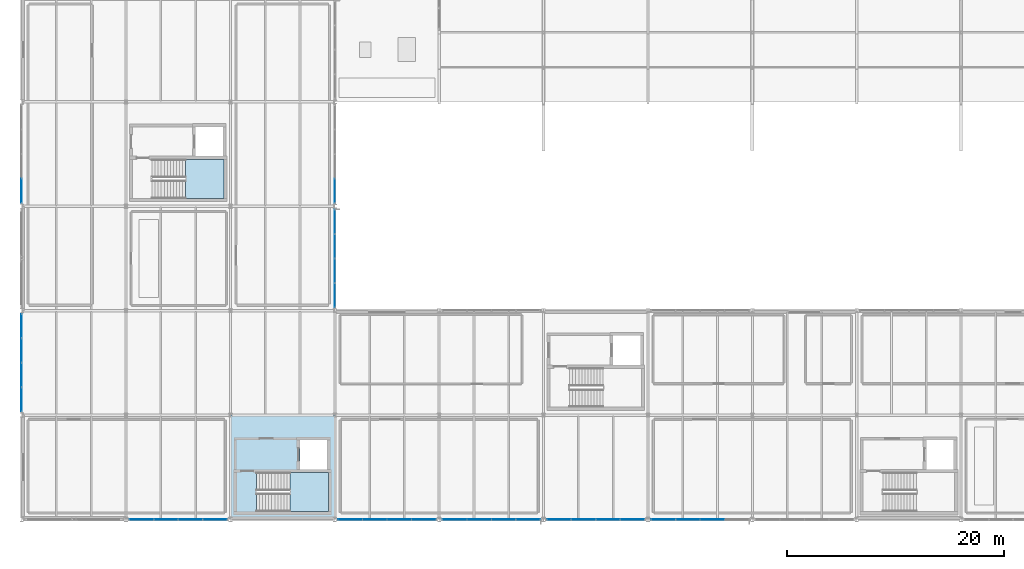
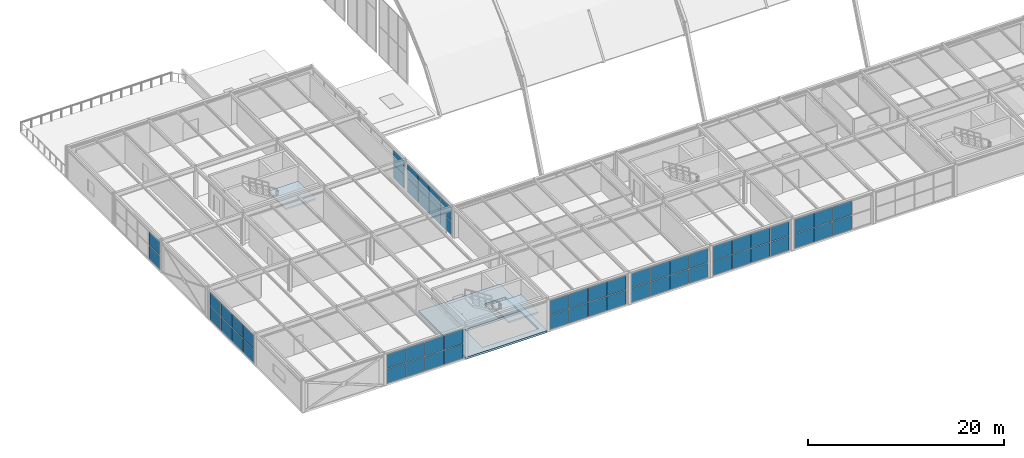
# One storey, part 104 of 126: 58 plates, 3 slabs, 11 elements without a shape of their own.
"""IFC4 building model written with IfcOpenShell, lengths in metres."""

from ifc_helpers import new_model, si_unit, direction, frame, origin, origin_2d, place, context, subcontext, project, spatial, polyline, rectangle, outline, extrude, material, layer, layer_set, type_object, element, aggregate, save


model = new_model("IFC4")

# Units and contexts
model_context = context("Model", 3, precision=1e-05, world=origin(), true_north=direction((0.0, 1.0)))
body_context = subcontext(model_context, "Body", "Model", "MODEL_VIEW")
ifc_project = project(units=[si_unit("LENGTHUNIT", "METRE"), si_unit("AREAUNIT", "SQUARE_METRE"), si_unit("VOLUMEUNIT", "CUBIC_METRE"), si_unit("PLANEANGLEUNIT", "RADIAN"), si_unit("MASSUNIT", "GRAM", prefix="KILO")], contexts=[model_context])

# Site, building, storey
site_placement = place(None, origin())
site = spatial("IfcSite", under=ifc_project, at=site_placement, CompositionType="ELEMENT")
building_placement = place(site_placement, origin())
building = spatial("IfcBuilding", under=site, at=building_placement, Name="Coralgate Yard Interchange", CompositionType="ELEMENT")
storey_placement = place(building_placement, frame((0.0, 0.0, 10.5)))
storey = spatial("IfcBuildingStorey", under=building, at=storey_placement, Name="L02", CompositionType="ELEMENT", Elevation=10.5)

# Curtain wall, plates
ifc_material_1 = material(Name="Anodised coastal aluminium and solar-control low-E glass", Category="aluminium")
curtain_wall_type = type_object("IfcCurtainWallType", Name="CW-CW-L02-A", PredefinedType="NOTDEFINED", material=ifc_material_1)
curtain_wall_1_placement = place(storey_placement, origin())
curtain_wall_1 = element("IfcCurtainWall", 1, at=curtain_wall_1_placement, inside=storey, type_object=curtain_wall_type, Name="L02 unitised curtain wall CW-L02-W-00-01", PredefinedType="NOTDEFINED")
ifc_material_2 = material(Name="Solar-control double-glazed low-E glass unit", Category="glass")
ifc_layer_1 = layer(ifc_material_2, 0.028076171875)
ifc_layer_set_1 = layer_set([ifc_layer_1], Name="Solar-control double-glazed low-E glass unit")
plate_type = type_object("IfcPlateType", Name="PLT-CP-28", PredefinedType="CURTAIN_PANEL", material=ifc_layer_set_1)
plate_1_placement = place(storey_placement, frame((0.0, 11.02490234375, 0.02490234375), z_axis=(0.0, 0.0, 1.0), x_axis=(0.0, 1.0, 0.0)))
plate_1 = element("IfcPlate", 2, at=plate_1_placement, type_object=plate_type, Name="CW-L02-W-00-01 solar-control glazing panel 1-1", PredefinedType="CURTAIN_PANEL", context=body_context, shape_type="SweptSolid", body=[
    extrude(rectangle(XDim=2.199951171875, YDim=0.028076171875, at=origin_2d()), origin(), (0.0, 0.0, 1.0), 1.696533203125),
])
plate_2_placement = place(storey_placement, frame((0.0, 11.02490234375, 1.771484375), z_axis=(0.0, 0.0, 1.0), x_axis=(0.0, 1.0, 0.0)))
plate_2 = element("IfcPlate", 3, at=plate_2_placement, type_object=plate_type, Name="CW-L02-W-00-01 solar-control glazing panel 1-2", PredefinedType="CURTAIN_PANEL", context=body_context, shape_type="SweptSolid", body=[
    extrude(rectangle(XDim=2.199951171875, YDim=0.028076171875, at=origin_2d()), origin(), (0.0, 0.0, 1.0), 1.696533203125),
])
plate_3_placement = place(storey_placement, frame((0.0, 13.27490234375, 0.02490234375), z_axis=(0.0, 0.0, 1.0), x_axis=(0.0, 1.0, 0.0)))
plate_3 = element("IfcPlate", 4, at=plate_3_placement, type_object=plate_type, Name="CW-L02-W-00-01 solar-control glazing panel 2-1", PredefinedType="CURTAIN_PANEL", context=body_context, shape_type="SweptSolid", body=[
    extrude(rectangle(XDim=2.199951171875, YDim=0.028076171875, at=origin_2d()), origin(), (0.0, 0.0, 1.0), 1.696533203125),
])
plate_4_placement = place(storey_placement, frame((0.0, 13.27490234375, 1.771484375), z_axis=(0.0, 0.0, 1.0), x_axis=(0.0, 1.0, 0.0)))
plate_4 = element("IfcPlate", 5, at=plate_4_placement, type_object=plate_type, Name="CW-L02-W-00-01 solar-control glazing panel 2-2", PredefinedType="CURTAIN_PANEL", context=body_context, shape_type="SweptSolid", body=[
    extrude(rectangle(XDim=2.199951171875, YDim=0.028076171875, at=origin_2d()), origin(), (0.0, 0.0, 1.0), 1.696533203125),
])
plate_5_placement = place(storey_placement, frame((0.0, 15.52490234375, 0.02490234375), z_axis=(0.0, 0.0, 1.0), x_axis=(0.0, 1.0, 0.0)))
plate_5 = element("IfcPlate", 6, at=plate_5_placement, type_object=plate_type, Name="CW-L02-W-00-01 solar-control glazing panel 3-1", PredefinedType="CURTAIN_PANEL", context=body_context, shape_type="SweptSolid", body=[
    extrude(rectangle(XDim=2.199951171875, YDim=0.028076171875, at=origin_2d()), origin(), (0.0, 0.0, 1.0), 1.696533203125),
])
plate_6_placement = place(storey_placement, frame((0.0, 15.52490234375, 1.771484375), z_axis=(0.0, 0.0, 1.0), x_axis=(0.0, 1.0, 0.0)))
plate_6 = element("IfcPlate", 7, at=plate_6_placement, type_object=plate_type, Name="CW-L02-W-00-01 solar-control glazing panel 3-2", PredefinedType="CURTAIN_PANEL", context=body_context, shape_type="SweptSolid", body=[
    extrude(rectangle(XDim=2.199951171875, YDim=0.028076171875, at=origin_2d()), origin(), (0.0, 0.0, 1.0), 1.696533203125),
])
plate_7_placement = place(storey_placement, frame((0.0, 17.77490234375, 0.02490234375), z_axis=(0.0, 0.0, 1.0), x_axis=(0.0, 1.0, 0.0)))
plate_7 = element("IfcPlate", 8, at=plate_7_placement, type_object=plate_type, Name="CW-L02-W-00-01 solar-control glazing panel 4-1", PredefinedType="CURTAIN_PANEL", context=body_context, shape_type="SweptSolid", body=[
    extrude(rectangle(XDim=2.199951171875, YDim=0.028076171875, at=origin_2d()), origin(), (0.0, 0.0, 1.0), 1.696533203125),
])
plate_8_placement = place(storey_placement, frame((0.0, 17.77490234375, 1.771484375), z_axis=(0.0, 0.0, 1.0), x_axis=(0.0, 1.0, 0.0)))
plate_8 = element("IfcPlate", 9, at=plate_8_placement, type_object=plate_type, Name="CW-L02-W-00-01 solar-control glazing panel 4-2", PredefinedType="CURTAIN_PANEL", context=body_context, shape_type="SweptSolid", body=[
    extrude(rectangle(XDim=2.199951171875, YDim=0.028076171875, at=origin_2d()), origin(), (0.0, 0.0, 1.0), 1.696533203125),
])
aggregate(curtain_wall_1, [plate_1, plate_2, plate_3, plate_4, plate_5, plate_6, plate_7, plate_8])

curtain_wall_2_placement = place(storey_placement, origin())
curtain_wall_2 = element("IfcCurtainWall", 10, at=curtain_wall_2_placement, inside=storey, type_object=curtain_wall_type, Name="L02 unitised curtain wall CW-L02-W-00-03", PredefinedType="NOTDEFINED")
plate_9_placement = place(storey_placement, frame((0.0, 30.22509765625, 0.02490234375), z_axis=(0.0, 0.0, 1.0), x_axis=(0.0, 1.0, 0.0)))
plate_9 = element("IfcPlate", 11, at=plate_9_placement, type_object=plate_type, Name="CW-L02-W-00-03 solar-control glazing panel 1-1", PredefinedType="CURTAIN_PANEL", context=body_context, shape_type="SweptSolid", body=[
    extrude(rectangle(XDim=2.199951171875, YDim=0.028076171875, at=origin_2d()), origin(), (0.0, 0.0, 1.0), 1.696533203125),
])
plate_10_placement = place(storey_placement, frame((0.0, 30.22509765625, 1.771484375), z_axis=(0.0, 0.0, 1.0), x_axis=(0.0, 1.0, 0.0)))
plate_10 = element("IfcPlate", 12, at=plate_10_placement, type_object=plate_type, Name="CW-L02-W-00-03 solar-control glazing panel 1-2", PredefinedType="CURTAIN_PANEL", context=body_context, shape_type="SweptSolid", body=[
    extrude(rectangle(XDim=2.199951171875, YDim=0.028076171875, at=origin_2d()), origin(), (0.0, 0.0, 1.0), 1.696533203125),
])
aggregate(curtain_wall_2, [plate_9, plate_10])

curtain_wall_3_placement = place(storey_placement, origin())
curtain_wall_3 = element("IfcCurtainWall", 13, at=curtain_wall_3_placement, inside=storey, type_object=curtain_wall_type, Name="L02 unitised curtain wall CW-L02-S-01-00", PredefinedType="NOTDEFINED")
plate_11_placement = place(storey_placement, frame((17.77490234375, 0.0, 0.02490234375), z_axis=(0.0, 0.0, 1.0), x_axis=(-1.0, 0.0, 0.0)))
plate_11 = element("IfcPlate", 14, at=plate_11_placement, type_object=plate_type, Name="CW-L02-S-01-00 solar-control glazing panel 1-1", PredefinedType="CURTAIN_PANEL", context=body_context, shape_type="SweptSolid", body=[
    extrude(rectangle(XDim=2.199951171875, YDim=0.028076171875, at=origin_2d()), origin(), (0.0, 0.0, 1.0), 1.780029296875),
])
plate_12_placement = place(storey_placement, frame((17.77490234375, 0.0, 1.85498046875), z_axis=(0.0, 0.0, 1.0), x_axis=(-1.0, 0.0, 0.0)))
plate_12 = element("IfcPlate", 15, at=plate_12_placement, type_object=plate_type, Name="CW-L02-S-01-00 solar-control glazing panel 1-2", PredefinedType="CURTAIN_PANEL", context=body_context, shape_type="SweptSolid", body=[
    extrude(rectangle(XDim=2.199951171875, YDim=0.028076171875, at=origin_2d()), origin(), (0.0, 0.0, 1.0), 1.780029296875),
])
plate_13_placement = place(storey_placement, frame((15.52490234375, 0.0, 0.02490234375), z_axis=(0.0, 0.0, 1.0), x_axis=(-1.0, 0.0, 0.0)))
plate_13 = element("IfcPlate", 16, at=plate_13_placement, type_object=plate_type, Name="CW-L02-S-01-00 solar-control glazing panel 2-1", PredefinedType="CURTAIN_PANEL", context=body_context, shape_type="SweptSolid", body=[
    extrude(rectangle(XDim=2.199951171875, YDim=0.028076171875, at=origin_2d()), origin(), (0.0, 0.0, 1.0), 1.780029296875),
])
plate_14_placement = place(storey_placement, frame((15.52490234375, 0.0, 1.85498046875), z_axis=(0.0, 0.0, 1.0), x_axis=(-1.0, 0.0, 0.0)))
plate_14 = element("IfcPlate", 17, at=plate_14_placement, type_object=plate_type, Name="CW-L02-S-01-00 solar-control glazing panel 2-2", PredefinedType="CURTAIN_PANEL", context=body_context, shape_type="SweptSolid", body=[
    extrude(rectangle(XDim=2.199951171875, YDim=0.028076171875, at=origin_2d()), origin(), (0.0, 0.0, 1.0), 1.780029296875),
])
plate_15_placement = place(storey_placement, frame((13.27490234375, 0.0, 0.02490234375), z_axis=(0.0, 0.0, 1.0), x_axis=(-1.0, 0.0, 0.0)))
plate_15 = element("IfcPlate", 18, at=plate_15_placement, type_object=plate_type, Name="CW-L02-S-01-00 solar-control glazing panel 3-1", PredefinedType="CURTAIN_PANEL", context=body_context, shape_type="SweptSolid", body=[
    extrude(rectangle(XDim=2.199951171875, YDim=0.028076171875, at=origin_2d()), origin(), (0.0, 0.0, 1.0), 1.780029296875),
])
plate_16_placement = place(storey_placement, frame((13.27490234375, 0.0, 1.85498046875), z_axis=(0.0, 0.0, 1.0), x_axis=(-1.0, 0.0, 0.0)))
plate_16 = element("IfcPlate", 19, at=plate_16_placement, type_object=plate_type, Name="CW-L02-S-01-00 solar-control glazing panel 3-2", PredefinedType="CURTAIN_PANEL", context=body_context, shape_type="SweptSolid", body=[
    extrude(rectangle(XDim=2.199951171875, YDim=0.028076171875, at=origin_2d()), origin(), (0.0, 0.0, 1.0), 1.780029296875),
])
plate_17_placement = place(storey_placement, frame((11.02490234375, 0.0, 0.02490234375), z_axis=(0.0, 0.0, 1.0), x_axis=(-1.0, 0.0, 0.0)))
plate_17 = element("IfcPlate", 20, at=plate_17_placement, type_object=plate_type, Name="CW-L02-S-01-00 solar-control glazing panel 4-1", PredefinedType="CURTAIN_PANEL", context=body_context, shape_type="SweptSolid", body=[
    extrude(rectangle(XDim=2.199951171875, YDim=0.028076171875, at=origin_2d()), origin(), (0.0, 0.0, 1.0), 1.780029296875),
])
plate_18_placement = place(storey_placement, frame((11.02490234375, 0.0, 1.85498046875), z_axis=(0.0, 0.0, 1.0), x_axis=(-1.0, 0.0, 0.0)))
plate_18 = element("IfcPlate", 21, at=plate_18_placement, type_object=plate_type, Name="CW-L02-S-01-00 solar-control glazing panel 4-2", PredefinedType="CURTAIN_PANEL", context=body_context, shape_type="SweptSolid", body=[
    extrude(rectangle(XDim=2.199951171875, YDim=0.028076171875, at=origin_2d()), origin(), (0.0, 0.0, 1.0), 1.780029296875),
])
aggregate(curtain_wall_3, [plate_11, plate_12, plate_13, plate_14, plate_15, plate_16, plate_17, plate_18])

curtain_wall_4_placement = place(storey_placement, origin())
curtain_wall_4 = element("IfcCurtainWall", 22, at=curtain_wall_4_placement, inside=storey, type_object=curtain_wall_type, Name="L02 unitised curtain wall CW-L02-E-02-02", PredefinedType="NOTDEFINED")
plate_19_placement = place(storey_placement, frame((28.800048828125, 27.375, 0.02490234375), z_axis=(0.0, 0.0, 1.0), x_axis=(0.0, -1.0, 0.0)))
plate_19 = element("IfcPlate", 23, at=plate_19_placement, type_object=plate_type, Name="CW-L02-E-02-02 solar-control glazing panel 1-1", PredefinedType="CURTAIN_PANEL", context=body_context, shape_type="SweptSolid", body=[
    extrude(rectangle(XDim=2.199951171875, YDim=0.028076171875, at=origin_2d()), origin(), (0.0, 0.0, 1.0), 1.696533203125),
])
plate_20_placement = place(storey_placement, frame((28.800048828125, 27.375, 1.771484375), z_axis=(0.0, 0.0, 1.0), x_axis=(0.0, -1.0, 0.0)))
plate_20 = element("IfcPlate", 24, at=plate_20_placement, type_object=plate_type, Name="CW-L02-E-02-02 solar-control glazing panel 1-2", PredefinedType="CURTAIN_PANEL", context=body_context, shape_type="SweptSolid", body=[
    extrude(rectangle(XDim=2.199951171875, YDim=0.028076171875, at=origin_2d()), origin(), (0.0, 0.0, 1.0), 1.696533203125),
])
plate_21_placement = place(storey_placement, frame((28.800048828125, 25.125, 0.02490234375), z_axis=(0.0, 0.0, 1.0), x_axis=(0.0, -1.0, 0.0)))
plate_21 = element("IfcPlate", 25, at=plate_21_placement, type_object=plate_type, Name="CW-L02-E-02-02 solar-control glazing panel 2-1", PredefinedType="CURTAIN_PANEL", context=body_context, shape_type="SweptSolid", body=[
    extrude(rectangle(XDim=2.199951171875, YDim=0.028076171875, at=origin_2d()), origin(), (0.0, 0.0, 1.0), 1.696533203125),
])
plate_22_placement = place(storey_placement, frame((28.800048828125, 25.125, 1.771484375), z_axis=(0.0, 0.0, 1.0), x_axis=(0.0, -1.0, 0.0)))
plate_22 = element("IfcPlate", 26, at=plate_22_placement, type_object=plate_type, Name="CW-L02-E-02-02 solar-control glazing panel 2-2", PredefinedType="CURTAIN_PANEL", context=body_context, shape_type="SweptSolid", body=[
    extrude(rectangle(XDim=2.199951171875, YDim=0.028076171875, at=origin_2d()), origin(), (0.0, 0.0, 1.0), 1.696533203125),
])
plate_23_placement = place(storey_placement, frame((28.800048828125, 22.875, 0.02490234375), z_axis=(0.0, 0.0, 1.0), x_axis=(0.0, -1.0, 0.0)))
plate_23 = element("IfcPlate", 27, at=plate_23_placement, type_object=plate_type, Name="CW-L02-E-02-02 solar-control glazing panel 3-1", PredefinedType="CURTAIN_PANEL", context=body_context, shape_type="SweptSolid", body=[
    extrude(rectangle(XDim=2.199951171875, YDim=0.028076171875, at=origin_2d()), origin(), (0.0, 0.0, 1.0), 1.696533203125),
])
plate_24_placement = place(storey_placement, frame((28.800048828125, 22.875, 1.771484375), z_axis=(0.0, 0.0, 1.0), x_axis=(0.0, -1.0, 0.0)))
plate_24 = element("IfcPlate", 28, at=plate_24_placement, type_object=plate_type, Name="CW-L02-E-02-02 solar-control glazing panel 3-2", PredefinedType="CURTAIN_PANEL", context=body_context, shape_type="SweptSolid", body=[
    extrude(rectangle(XDim=2.199951171875, YDim=0.028076171875, at=origin_2d()), origin(), (0.0, 0.0, 1.0), 1.696533203125),
])
plate_25_placement = place(storey_placement, frame((28.800048828125, 20.625, 0.02490234375), z_axis=(0.0, 0.0, 1.0), x_axis=(0.0, -1.0, 0.0)))
plate_25 = element("IfcPlate", 29, at=plate_25_placement, type_object=plate_type, Name="CW-L02-E-02-02 solar-control glazing panel 4-1", PredefinedType="CURTAIN_PANEL", context=body_context, shape_type="SweptSolid", body=[
    extrude(rectangle(XDim=2.199951171875, YDim=0.028076171875, at=origin_2d()), origin(), (0.0, 0.0, 1.0), 1.696533203125),
])
plate_26_placement = place(storey_placement, frame((28.800048828125, 20.625, 1.771484375), z_axis=(0.0, 0.0, 1.0), x_axis=(0.0, -1.0, 0.0)))
plate_26 = element("IfcPlate", 30, at=plate_26_placement, type_object=plate_type, Name="CW-L02-E-02-02 solar-control glazing panel 4-2", PredefinedType="CURTAIN_PANEL", context=body_context, shape_type="SweptSolid", body=[
    extrude(rectangle(XDim=2.199951171875, YDim=0.028076171875, at=origin_2d()), origin(), (0.0, 0.0, 1.0), 1.696533203125),
])
aggregate(curtain_wall_4, [plate_19, plate_20, plate_21, plate_22, plate_23, plate_24, plate_25, plate_26])

curtain_wall_5_placement = place(storey_placement, origin())
curtain_wall_5 = element("IfcCurtainWall", 31, at=curtain_wall_5_placement, inside=storey, type_object=curtain_wall_type, Name="L02 unitised curtain wall CW-L02-E-02-03", PredefinedType="NOTDEFINED")
plate_27_placement = place(storey_placement, frame((28.800048828125, 30.22509765625, 0.02490234375), z_axis=(0.0, 0.0, 1.0), x_axis=(0.0, -1.0, 0.0)))
plate_27 = element("IfcPlate", 32, at=plate_27_placement, type_object=plate_type, Name="CW-L02-E-02-03 solar-control glazing panel 4-1", PredefinedType="CURTAIN_PANEL", context=body_context, shape_type="SweptSolid", body=[
    extrude(rectangle(XDim=2.199951171875, YDim=0.028076171875, at=origin_2d()), origin(), (0.0, 0.0, 1.0), 1.696533203125),
])
plate_28_placement = place(storey_placement, frame((28.800048828125, 30.22509765625, 1.771484375), z_axis=(0.0, 0.0, 1.0), x_axis=(0.0, -1.0, 0.0)))
plate_28 = element("IfcPlate", 33, at=plate_28_placement, type_object=plate_type, Name="CW-L02-E-02-03 solar-control glazing panel 4-2", PredefinedType="CURTAIN_PANEL", context=body_context, shape_type="SweptSolid", body=[
    extrude(rectangle(XDim=2.199951171875, YDim=0.028076171875, at=origin_2d()), origin(), (0.0, 0.0, 1.0), 1.696533203125),
])
aggregate(curtain_wall_5, [plate_27, plate_28])

curtain_wall_6_placement = place(storey_placement, origin())
curtain_wall_6 = element("IfcCurtainWall", 34, at=curtain_wall_6_placement, inside=storey, type_object=curtain_wall_type, Name="L02 unitised curtain wall CW-L02-S-03-00", PredefinedType="NOTDEFINED")
plate_29_placement = place(storey_placement, frame((36.97509765625, 0.0, 0.02490234375), z_axis=(0.0, 0.0, 1.0), x_axis=(-1.0, 0.0, 0.0)))
plate_29 = element("IfcPlate", 35, at=plate_29_placement, type_object=plate_type, Name="CW-L02-S-03-00 solar-control glazing panel 1-1", PredefinedType="CURTAIN_PANEL", context=body_context, shape_type="SweptSolid", body=[
    extrude(rectangle(XDim=2.199951171875, YDim=0.028076171875, at=origin_2d()), origin(), (0.0, 0.0, 1.0), 1.780029296875),
])
plate_30_placement = place(storey_placement, frame((36.97509765625, 0.0, 1.85498046875), z_axis=(0.0, 0.0, 1.0), x_axis=(-1.0, 0.0, 0.0)))
plate_30 = element("IfcPlate", 36, at=plate_30_placement, type_object=plate_type, Name="CW-L02-S-03-00 solar-control glazing panel 1-2", PredefinedType="CURTAIN_PANEL", context=body_context, shape_type="SweptSolid", body=[
    extrude(rectangle(XDim=2.199951171875, YDim=0.028076171875, at=origin_2d()), origin(), (0.0, 0.0, 1.0), 1.780029296875),
])
plate_31_placement = place(storey_placement, frame((34.72509765625, 0.0, 0.02490234375), z_axis=(0.0, 0.0, 1.0), x_axis=(-1.0, 0.0, 0.0)))
plate_31 = element("IfcPlate", 37, at=plate_31_placement, type_object=plate_type, Name="CW-L02-S-03-00 solar-control glazing panel 2-1", PredefinedType="CURTAIN_PANEL", context=body_context, shape_type="SweptSolid", body=[
    extrude(rectangle(XDim=2.199951171875, YDim=0.028076171875, at=origin_2d()), origin(), (0.0, 0.0, 1.0), 1.780029296875),
])
plate_32_placement = place(storey_placement, frame((34.72509765625, 0.0, 1.85498046875), z_axis=(0.0, 0.0, 1.0), x_axis=(-1.0, 0.0, 0.0)))
plate_32 = element("IfcPlate", 38, at=plate_32_placement, type_object=plate_type, Name="CW-L02-S-03-00 solar-control glazing panel 2-2", PredefinedType="CURTAIN_PANEL", context=body_context, shape_type="SweptSolid", body=[
    extrude(rectangle(XDim=2.199951171875, YDim=0.028076171875, at=origin_2d()), origin(), (0.0, 0.0, 1.0), 1.780029296875),
])
plate_33_placement = place(storey_placement, frame((32.47509765625, 0.0, 0.02490234375), z_axis=(0.0, 0.0, 1.0), x_axis=(-1.0, 0.0, 0.0)))
plate_33 = element("IfcPlate", 39, at=plate_33_placement, type_object=plate_type, Name="CW-L02-S-03-00 solar-control glazing panel 3-1", PredefinedType="CURTAIN_PANEL", context=body_context, shape_type="SweptSolid", body=[
    extrude(rectangle(XDim=2.199951171875, YDim=0.028076171875, at=origin_2d()), origin(), (0.0, 0.0, 1.0), 1.780029296875),
])
plate_34_placement = place(storey_placement, frame((32.47509765625, 0.0, 1.85498046875), z_axis=(0.0, 0.0, 1.0), x_axis=(-1.0, 0.0, 0.0)))
plate_34 = element("IfcPlate", 40, at=plate_34_placement, type_object=plate_type, Name="CW-L02-S-03-00 solar-control glazing panel 3-2", PredefinedType="CURTAIN_PANEL", context=body_context, shape_type="SweptSolid", body=[
    extrude(rectangle(XDim=2.199951171875, YDim=0.028076171875, at=origin_2d()), origin(), (0.0, 0.0, 1.0), 1.780029296875),
])
plate_35_placement = place(storey_placement, frame((30.22509765625, 0.0, 0.02490234375), z_axis=(0.0, 0.0, 1.0), x_axis=(-1.0, 0.0, 0.0)))
plate_35 = element("IfcPlate", 41, at=plate_35_placement, type_object=plate_type, Name="CW-L02-S-03-00 solar-control glazing panel 4-1", PredefinedType="CURTAIN_PANEL", context=body_context, shape_type="SweptSolid", body=[
    extrude(rectangle(XDim=2.199951171875, YDim=0.028076171875, at=origin_2d()), origin(), (0.0, 0.0, 1.0), 1.780029296875),
])
plate_36_placement = place(storey_placement, frame((30.22509765625, 0.0, 1.85498046875), z_axis=(0.0, 0.0, 1.0), x_axis=(-1.0, 0.0, 0.0)))
plate_36 = element("IfcPlate", 42, at=plate_36_placement, type_object=plate_type, Name="CW-L02-S-03-00 solar-control glazing panel 4-2", PredefinedType="CURTAIN_PANEL", context=body_context, shape_type="SweptSolid", body=[
    extrude(rectangle(XDim=2.199951171875, YDim=0.028076171875, at=origin_2d()), origin(), (0.0, 0.0, 1.0), 1.780029296875),
])
aggregate(curtain_wall_6, [plate_29, plate_30, plate_31, plate_32, plate_33, plate_34, plate_35, plate_36])

curtain_wall_7_placement = place(storey_placement, origin())
curtain_wall_7 = element("IfcCurtainWall", 43, at=curtain_wall_7_placement, inside=storey, type_object=curtain_wall_type, Name="L02 unitised curtain wall CW-L02-S-04-00", PredefinedType="NOTDEFINED")
plate_37_placement = place(storey_placement, frame((46.574951171875, 0.0, 0.02490234375), z_axis=(0.0, 0.0, 1.0), x_axis=(-1.0, 0.0, 0.0)))
plate_37 = element("IfcPlate", 44, at=plate_37_placement, type_object=plate_type, Name="CW-L02-S-04-00 solar-control glazing panel 1-1", PredefinedType="CURTAIN_PANEL", context=body_context, shape_type="SweptSolid", body=[
    extrude(rectangle(XDim=2.199951171875, YDim=0.028076171875, at=origin_2d()), origin(), (0.0, 0.0, 1.0), 1.780029296875),
])
plate_38_placement = place(storey_placement, frame((46.574951171875, 0.0, 1.85498046875), z_axis=(0.0, 0.0, 1.0), x_axis=(-1.0, 0.0, 0.0)))
plate_38 = element("IfcPlate", 45, at=plate_38_placement, type_object=plate_type, Name="CW-L02-S-04-00 solar-control glazing panel 1-2", PredefinedType="CURTAIN_PANEL", context=body_context, shape_type="SweptSolid", body=[
    extrude(rectangle(XDim=2.199951171875, YDim=0.028076171875, at=origin_2d()), origin(), (0.0, 0.0, 1.0), 1.780029296875),
])
plate_39_placement = place(storey_placement, frame((44.324951171875, 0.0, 0.02490234375), z_axis=(0.0, 0.0, 1.0), x_axis=(-1.0, 0.0, 0.0)))
plate_39 = element("IfcPlate", 46, at=plate_39_placement, type_object=plate_type, Name="CW-L02-S-04-00 solar-control glazing panel 2-1", PredefinedType="CURTAIN_PANEL", context=body_context, shape_type="SweptSolid", body=[
    extrude(rectangle(XDim=2.199951171875, YDim=0.028076171875, at=origin_2d()), origin(), (0.0, 0.0, 1.0), 1.780029296875),
])
plate_40_placement = place(storey_placement, frame((44.324951171875, 0.0, 1.85498046875), z_axis=(0.0, 0.0, 1.0), x_axis=(-1.0, 0.0, 0.0)))
plate_40 = element("IfcPlate", 47, at=plate_40_placement, type_object=plate_type, Name="CW-L02-S-04-00 solar-control glazing panel 2-2", PredefinedType="CURTAIN_PANEL", context=body_context, shape_type="SweptSolid", body=[
    extrude(rectangle(XDim=2.199951171875, YDim=0.028076171875, at=origin_2d()), origin(), (0.0, 0.0, 1.0), 1.780029296875),
])
plate_41_placement = place(storey_placement, frame((42.074951171875, 0.0, 0.02490234375), z_axis=(0.0, 0.0, 1.0), x_axis=(-1.0, 0.0, 0.0)))
plate_41 = element("IfcPlate", 48, at=plate_41_placement, type_object=plate_type, Name="CW-L02-S-04-00 solar-control glazing panel 3-1", PredefinedType="CURTAIN_PANEL", context=body_context, shape_type="SweptSolid", body=[
    extrude(rectangle(XDim=2.199951171875, YDim=0.028076171875, at=origin_2d()), origin(), (0.0, 0.0, 1.0), 1.780029296875),
])
plate_42_placement = place(storey_placement, frame((42.074951171875, 0.0, 1.85498046875), z_axis=(0.0, 0.0, 1.0), x_axis=(-1.0, 0.0, 0.0)))
plate_42 = element("IfcPlate", 49, at=plate_42_placement, type_object=plate_type, Name="CW-L02-S-04-00 solar-control glazing panel 3-2", PredefinedType="CURTAIN_PANEL", context=body_context, shape_type="SweptSolid", body=[
    extrude(rectangle(XDim=2.199951171875, YDim=0.028076171875, at=origin_2d()), origin(), (0.0, 0.0, 1.0), 1.780029296875),
])
plate_43_placement = place(storey_placement, frame((39.824951171875, 0.0, 0.02490234375), z_axis=(0.0, 0.0, 1.0), x_axis=(-1.0, 0.0, 0.0)))
plate_43 = element("IfcPlate", 50, at=plate_43_placement, type_object=plate_type, Name="CW-L02-S-04-00 solar-control glazing panel 4-1", PredefinedType="CURTAIN_PANEL", context=body_context, shape_type="SweptSolid", body=[
    extrude(rectangle(XDim=2.199951171875, YDim=0.028076171875, at=origin_2d()), origin(), (0.0, 0.0, 1.0), 1.780029296875),
])
plate_44_placement = place(storey_placement, frame((39.824951171875, 0.0, 1.85498046875), z_axis=(0.0, 0.0, 1.0), x_axis=(-1.0, 0.0, 0.0)))
plate_44 = element("IfcPlate", 51, at=plate_44_placement, type_object=plate_type, Name="CW-L02-S-04-00 solar-control glazing panel 4-2", PredefinedType="CURTAIN_PANEL", context=body_context, shape_type="SweptSolid", body=[
    extrude(rectangle(XDim=2.199951171875, YDim=0.028076171875, at=origin_2d()), origin(), (0.0, 0.0, 1.0), 1.780029296875),
])
aggregate(curtain_wall_7, [plate_37, plate_38, plate_39, plate_40, plate_41, plate_42, plate_43, plate_44])

curtain_wall_8_placement = place(storey_placement, origin())
curtain_wall_8 = element("IfcCurtainWall", 52, at=curtain_wall_8_placement, inside=storey, type_object=curtain_wall_type, Name="L02 unitised curtain wall CW-L02-S-05-00", PredefinedType="NOTDEFINED")
plate_45_placement = place(storey_placement, frame((56.175048828125, 0.0, 0.02490234375), z_axis=(0.0, 0.0, 1.0), x_axis=(-1.0, 0.0, 0.0)))
plate_45 = element("IfcPlate", 53, at=plate_45_placement, type_object=plate_type, Name="CW-L02-S-05-00 solar-control glazing panel 1-1", PredefinedType="CURTAIN_PANEL", context=body_context, shape_type="SweptSolid", body=[
    extrude(rectangle(XDim=2.199951171875, YDim=0.028076171875, at=origin_2d()), origin(), (0.0, 0.0, 1.0), 1.780029296875),
])
plate_46_placement = place(storey_placement, frame((56.175048828125, 0.0, 1.85498046875), z_axis=(0.0, 0.0, 1.0), x_axis=(-1.0, 0.0, 0.0)))
plate_46 = element("IfcPlate", 54, at=plate_46_placement, type_object=plate_type, Name="CW-L02-S-05-00 solar-control glazing panel 1-2", PredefinedType="CURTAIN_PANEL", context=body_context, shape_type="SweptSolid", body=[
    extrude(rectangle(XDim=2.199951171875, YDim=0.028076171875, at=origin_2d()), origin(), (0.0, 0.0, 1.0), 1.780029296875),
])
plate_47_placement = place(storey_placement, frame((53.925048828125, 0.0, 0.02490234375), z_axis=(0.0, 0.0, 1.0), x_axis=(-1.0, 0.0, 0.0)))
plate_47 = element("IfcPlate", 55, at=plate_47_placement, type_object=plate_type, Name="CW-L02-S-05-00 solar-control glazing panel 2-1", PredefinedType="CURTAIN_PANEL", context=body_context, shape_type="SweptSolid", body=[
    extrude(rectangle(XDim=2.199951171875, YDim=0.028076171875, at=origin_2d()), origin(), (0.0, 0.0, 1.0), 1.780029296875),
])
plate_48_placement = place(storey_placement, frame((53.925048828125, 0.0, 1.85498046875), z_axis=(0.0, 0.0, 1.0), x_axis=(-1.0, 0.0, 0.0)))
plate_48 = element("IfcPlate", 56, at=plate_48_placement, type_object=plate_type, Name="CW-L02-S-05-00 solar-control glazing panel 2-2", PredefinedType="CURTAIN_PANEL", context=body_context, shape_type="SweptSolid", body=[
    extrude(rectangle(XDim=2.199951171875, YDim=0.028076171875, at=origin_2d()), origin(), (0.0, 0.0, 1.0), 1.780029296875),
])
plate_49_placement = place(storey_placement, frame((51.675048828125, 0.0, 0.02490234375), z_axis=(0.0, 0.0, 1.0), x_axis=(-1.0, 0.0, 0.0)))
plate_49 = element("IfcPlate", 57, at=plate_49_placement, type_object=plate_type, Name="CW-L02-S-05-00 solar-control glazing panel 3-1", PredefinedType="CURTAIN_PANEL", context=body_context, shape_type="SweptSolid", body=[
    extrude(rectangle(XDim=2.199951171875, YDim=0.028076171875, at=origin_2d()), origin(), (0.0, 0.0, 1.0), 1.780029296875),
])
plate_50_placement = place(storey_placement, frame((51.675048828125, 0.0, 1.85498046875), z_axis=(0.0, 0.0, 1.0), x_axis=(-1.0, 0.0, 0.0)))
plate_50 = element("IfcPlate", 58, at=plate_50_placement, type_object=plate_type, Name="CW-L02-S-05-00 solar-control glazing panel 3-2", PredefinedType="CURTAIN_PANEL", context=body_context, shape_type="SweptSolid", body=[
    extrude(rectangle(XDim=2.199951171875, YDim=0.028076171875, at=origin_2d()), origin(), (0.0, 0.0, 1.0), 1.780029296875),
])
plate_51_placement = place(storey_placement, frame((49.425048828125, 0.0, 0.02490234375), z_axis=(0.0, 0.0, 1.0), x_axis=(-1.0, 0.0, 0.0)))
plate_51 = element("IfcPlate", 59, at=plate_51_placement, type_object=plate_type, Name="CW-L02-S-05-00 solar-control glazing panel 4-1", PredefinedType="CURTAIN_PANEL", context=body_context, shape_type="SweptSolid", body=[
    extrude(rectangle(XDim=2.199951171875, YDim=0.028076171875, at=origin_2d()), origin(), (0.0, 0.0, 1.0), 1.780029296875),
])
plate_52_placement = place(storey_placement, frame((49.425048828125, 0.0, 1.85498046875), z_axis=(0.0, 0.0, 1.0), x_axis=(-1.0, 0.0, 0.0)))
plate_52 = element("IfcPlate", 60, at=plate_52_placement, type_object=plate_type, Name="CW-L02-S-05-00 solar-control glazing panel 4-2", PredefinedType="CURTAIN_PANEL", context=body_context, shape_type="SweptSolid", body=[
    extrude(rectangle(XDim=2.199951171875, YDim=0.028076171875, at=origin_2d()), origin(), (0.0, 0.0, 1.0), 1.780029296875),
])
aggregate(curtain_wall_8, [plate_45, plate_46, plate_47, plate_48, plate_49, plate_50, plate_51, plate_52])

curtain_wall_9_placement = place(storey_placement, origin())
curtain_wall_9 = element("IfcCurtainWall", 61, at=curtain_wall_9_placement, inside=storey, type_object=curtain_wall_type, Name="L02 unitised curtain wall CW-L02-S-06-00", PredefinedType="NOTDEFINED")
plate_53_placement = place(storey_placement, frame((63.52490234375, 0.0, 0.02490234375), z_axis=(0.0, 0.0, 1.0), x_axis=(-1.0, 0.0, 0.0)))
plate_53 = element("IfcPlate", 62, at=plate_53_placement, type_object=plate_type, Name="CW-L02-S-06-00 solar-control glazing panel 2-1", PredefinedType="CURTAIN_PANEL", context=body_context, shape_type="SweptSolid", body=[
    extrude(rectangle(XDim=2.199951171875, YDim=0.028076171875, at=origin_2d()), origin(), (0.0, 0.0, 1.0), 1.780029296875),
])
plate_54_placement = place(storey_placement, frame((63.52490234375, 0.0, 1.85498046875), z_axis=(0.0, 0.0, 1.0), x_axis=(-1.0, 0.0, 0.0)))
plate_54 = element("IfcPlate", 63, at=plate_54_placement, type_object=plate_type, Name="CW-L02-S-06-00 solar-control glazing panel 2-2", PredefinedType="CURTAIN_PANEL", context=body_context, shape_type="SweptSolid", body=[
    extrude(rectangle(XDim=2.199951171875, YDim=0.028076171875, at=origin_2d()), origin(), (0.0, 0.0, 1.0), 1.780029296875),
])
plate_55_placement = place(storey_placement, frame((61.27490234375, 0.0, 0.02490234375), z_axis=(0.0, 0.0, 1.0), x_axis=(-1.0, 0.0, 0.0)))
plate_55 = element("IfcPlate", 64, at=plate_55_placement, type_object=plate_type, Name="CW-L02-S-06-00 solar-control glazing panel 3-1", PredefinedType="CURTAIN_PANEL", context=body_context, shape_type="SweptSolid", body=[
    extrude(rectangle(XDim=2.199951171875, YDim=0.028076171875, at=origin_2d()), origin(), (0.0, 0.0, 1.0), 1.780029296875),
])
plate_56_placement = place(storey_placement, frame((61.27490234375, 0.0, 1.85498046875), z_axis=(0.0, 0.0, 1.0), x_axis=(-1.0, 0.0, 0.0)))
plate_56 = element("IfcPlate", 65, at=plate_56_placement, type_object=plate_type, Name="CW-L02-S-06-00 solar-control glazing panel 3-2", PredefinedType="CURTAIN_PANEL", context=body_context, shape_type="SweptSolid", body=[
    extrude(rectangle(XDim=2.199951171875, YDim=0.028076171875, at=origin_2d()), origin(), (0.0, 0.0, 1.0), 1.780029296875),
])
plate_57_placement = place(storey_placement, frame((59.02490234375, 0.0, 0.02490234375), z_axis=(0.0, 0.0, 1.0), x_axis=(-1.0, 0.0, 0.0)))
plate_57 = element("IfcPlate", 66, at=plate_57_placement, type_object=plate_type, Name="CW-L02-S-06-00 solar-control glazing panel 4-1", PredefinedType="CURTAIN_PANEL", context=body_context, shape_type="SweptSolid", body=[
    extrude(rectangle(XDim=2.199951171875, YDim=0.028076171875, at=origin_2d()), origin(), (0.0, 0.0, 1.0), 1.780029296875),
])
plate_58_placement = place(storey_placement, frame((59.02490234375, 0.0, 1.85498046875), z_axis=(0.0, 0.0, 1.0), x_axis=(-1.0, 0.0, 0.0)))
plate_58 = element("IfcPlate", 67, at=plate_58_placement, type_object=plate_type, Name="CW-L02-S-06-00 solar-control glazing panel 4-2", PredefinedType="CURTAIN_PANEL", context=body_context, shape_type="SweptSolid", body=[
    extrude(rectangle(XDim=2.199951171875, YDim=0.028076171875, at=origin_2d()), origin(), (0.0, 0.0, 1.0), 1.780029296875),
])
aggregate(curtain_wall_9, [plate_53, plate_54, plate_55, plate_56, plate_57, plate_58])

# Stair, slab
ifc_material_3 = material(Name="Concrete C40/50", Category="concrete")
stair_type = type_object("IfcStairType", Name="STR-DL-165-42", PredefinedType="HALF_TURN_STAIR", material=ifc_material_3)
stair_1_placement = place(storey_placement, origin())
stair_1 = element("IfcStair", 68, at=stair_1_placement, inside=storey, type_object=stair_type, Name="L02 Escape stair ST-01", PredefinedType="HALF_TURN_STAIR")
ifc_layer_2 = layer(ifc_material_3, 0.199951171875)
ifc_layer_set_2 = layer_set([ifc_layer_2], Name="Concrete C40/50")
slab_type_1 = type_object("IfcSlabType", Name="SLB-LND200", PredefinedType="LANDING", material=ifc_layer_set_2)
slab_1_placement = place(storey_placement, frame((0.0, 0.0, 1.89990234375)))
slab_1 = element("IfcSlab", 69, at=slab_1_placement, type_object=slab_type_1, Name="ST-01 landing 1", PredefinedType="LANDING", context=body_context, shape_type="SweptSolid", body=[
    extrude(outline(polyline([(15.080078125, 29.52001953125), (18.60009765625, 29.52001953125), (18.60009765625, 33.110107421875), (15.080078125, 33.110107421875), (15.080078125, 29.52001953125)])), origin(), (0.0, 0.0, 1.0), 0.2001953125),
])
aggregate(stair_1, [slab_1])

stair_2_placement = place(storey_placement, origin())
stair_2 = element("IfcStair", 70, at=stair_2_placement, inside=storey, type_object=stair_type, Name="L02 Escape stair ST-03", PredefinedType="HALF_TURN_STAIR")
slab_2_placement = place(storey_placement, frame((0.0, 0.0, 1.89990234375)))
slab_2 = element("IfcSlab", 71, at=slab_2_placement, type_object=slab_type_1, Name="ST-03 landing 1", PredefinedType="LANDING", context=body_context, shape_type="SweptSolid", body=[
    extrude(outline(polyline([(24.679931640625, 0.719970703125), (28.199951171875, 0.719970703125), (28.199951171875, 4.31005859375), (24.679931640625, 4.31005859375), (24.679931640625, 0.719970703125)])), origin(), (0.0, 0.0, 1.0), 0.2001953125),
])
aggregate(stair_2, [slab_2])

# Slab
ifc_layer_3 = layer(ifc_material_3, 0.25)
ifc_layer_set_3 = layer_set([ifc_layer_3], Name="Concrete C40/50")
slab_type_2 = type_object("IfcSlabType", Name="SLB-SL-FLR250", PredefinedType="FLOOR", material=ifc_layer_set_3)
slab_3_placement = place(storey_placement, frame((0.0, 0.0, -0.25)))
element("IfcSlab", 72, at=slab_3_placement, inside=storey, type_object=slab_type_2, Name="L02 core C3 structural floor slab", PredefinedType="FLOOR", context=body_context, shape_type="SweptSolid", body=[
    extrude(outline(polyline([(28.800048828125, 9.60009765625), (28.800048828125, 0.0), (19.199951171875, 0.0), (19.199951171875, 9.60009765625), (28.800048828125, 9.60009765625)]), holes=[polyline([(28.199951171875, 4.31005859375), (21.6201171875, 4.31005859375), (21.6201171875, 0.719970703125), (28.199951171875, 0.719970703125), (28.199951171875, 4.31005859375)]), polyline([(28.10009765625, 4.449951171875), (28.10009765625, 7.300048828125), (25.60009765625, 7.300048828125), (25.60009765625, 4.449951171875), (28.10009765625, 4.449951171875)])]), origin(), (0.0, 0.0, 1.0), 0.25),
])

save(model, "model.ifc")
